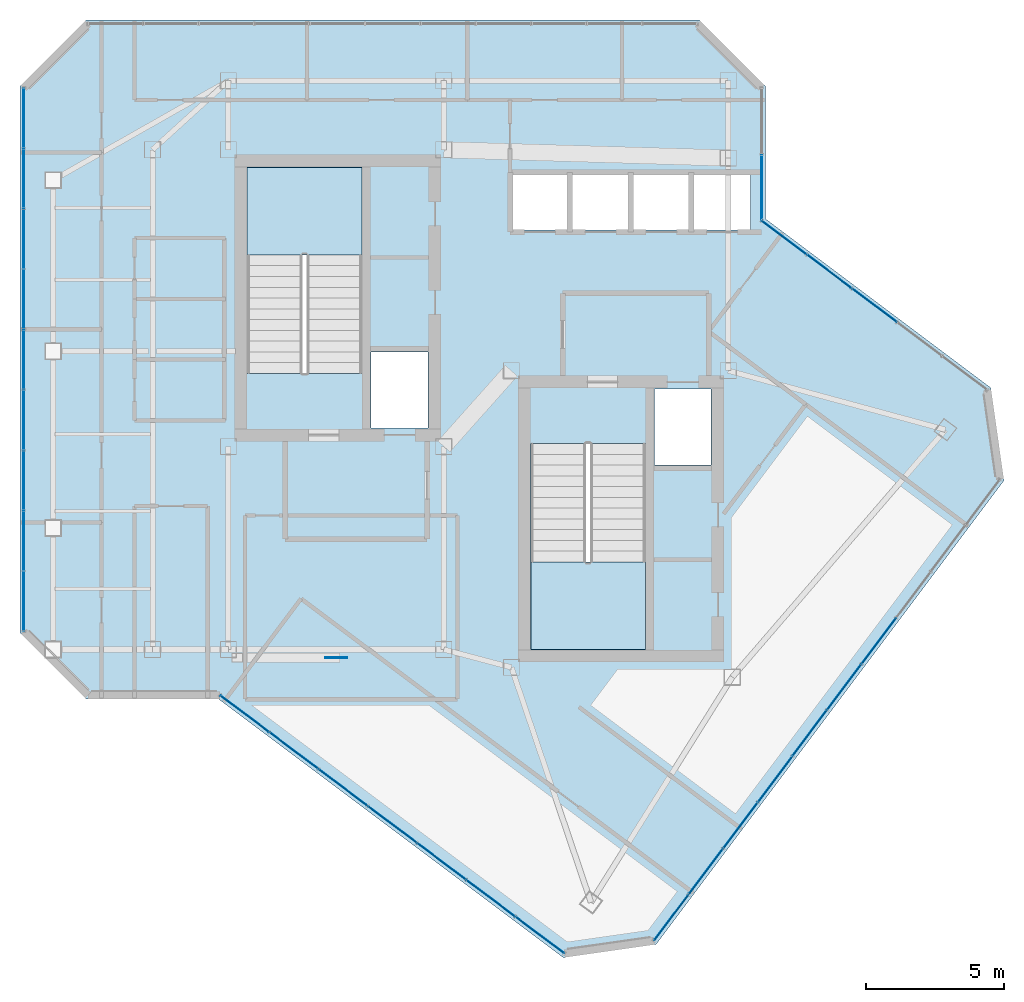
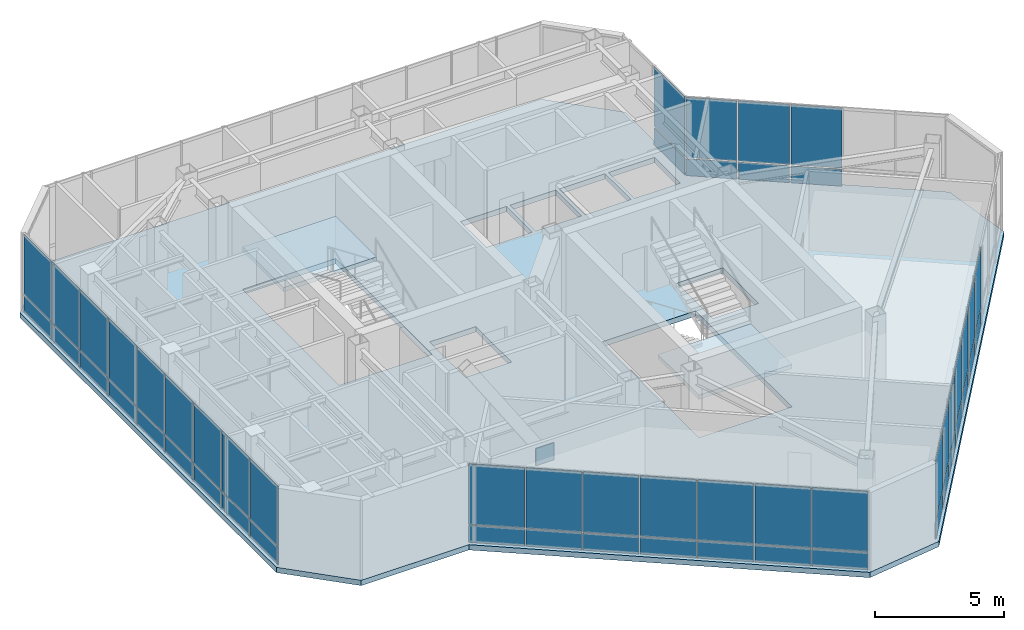
# One storey, part 25 of 31: 55 plates, 3 slabs, 7 elements without a shape of their own.
"""IFC4 building model written with IfcOpenShell, lengths in metres."""

import ifcopenshell
import ifcopenshell.guid

model = None  # the IFC model being written
_history = None  # IfcOwnerHistory: only IFC2X3 demands one
_inside = {}  # id of a spatial element -> (the spatial element, [elements in it])
_under = {}  # id of a project, library or spatial element -> (it, [spatial elements below it])
_declared = {}  # id of a project -> (the project, [libraries it declares])
_typed = {}  # id of a type object -> (the type object, [elements of that type])
_made_of = {}  # id of a material, layer set ... -> (it, [elements and type objects made of it])


def new_model(schema):
    """Start an empty IFC model of exactly this schema.

    Asked for "IFC4X3", IfcOpenShell would pick the latest addendum, in which some entities
    have other attributes; the version numbers below select the first issue.
    IFC2X3 requires an IfcOwnerHistory on every rooted entity: one is made here for all.
    """
    global model, _history
    if schema == "IFC4X3":
        model = ifcopenshell.file(schema_version=(4, 3, 0, 0))
    else:
        model = ifcopenshell.file(schema=schema)
    _inside.clear()
    _under.clear()
    _declared.clear()
    _typed.clear()
    _made_of.clear()
    _history = None
    if model.schema == "IFC2X3":
        org = make("IfcOrganization", Name="unknown")
        user = make(
            "IfcPersonAndOrganization",
            ThePerson=make("IfcPerson", FamilyName="unknown"),
            TheOrganization=org,
        )
        app = make(
            "IfcApplication",
            ApplicationDeveloper=org,
            Version="unknown",
            ApplicationFullName="unknown",
            ApplicationIdentifier="unknown",
        )
        _history = make(
            "IfcOwnerHistory",
            OwningUser=user,
            OwningApplication=app,
            ChangeAction="ADDED",
            CreationDate=0,
        )
    return model


def make(cls, **values):
    """One entity of the class cls with the attributes given. An attribute that is None is left unset."""
    return model.create_entity(
        cls, **{name: value for name, value in values.items() if value is not None}
    )


def rooted(cls, **values):
    """An entity with a GlobalId (a new one), such as an element, a storey or a relation."""
    return make(cls, GlobalId=ifcopenshell.guid.new(), OwnerHistory=_history, **values)


def si_unit(unit_type, name, prefix=None):
    """IfcSIUnit, for example si_unit("LENGTHUNIT", "METRE", prefix="MILLI")."""
    return make("IfcSIUnit", UnitType=unit_type, Prefix=prefix, Name=name)


def assignment(units):
    """IfcUnitAssignment: the units of a project."""
    return None if units is None else make("IfcUnitAssignment", Units=units)


def point(xyz):
    """IfcCartesianPoint."""
    return None if xyz is None else make("IfcCartesianPoint", Coordinates=xyz)


def direction(xyz):
    """IfcDirection."""
    return None if xyz is None else make("IfcDirection", DirectionRatios=xyz)


def frame(location, z_axis=None, x_axis=None):
    """IfcAxis2Placement3D, a coordinate frame: its origin and axes. An axis left out is left unset."""
    return make(
        "IfcAxis2Placement3D",
        Location=point(location),
        Axis=direction(z_axis),
        RefDirection=direction(x_axis),
    )


def frame_2d(location, x_axis=None):
    """IfcAxis2Placement2D, a coordinate frame in the plane: its origin and x axis."""
    return make(
        "IfcAxis2Placement2D", Location=point(location), RefDirection=direction(x_axis)
    )


def origin():
    """The frame at (0, 0, 0) with its axes left unset."""
    return frame((0.0, 0.0, 0.0))


def origin_2d():
    """The frame at (0, 0) in the plane with its x axis left unset."""
    return frame_2d((0.0, 0.0))


def place(relative_to, where):
    """IfcLocalPlacement: puts the frame where relative to a parent placement (None: the world)."""
    return make(
        "IfcLocalPlacement", PlacementRelTo=relative_to, RelativePlacement=where
    )


def context(
    kind, dimensions, precision=None, world=None, true_north=None, identifier=None
):
    """IfcGeometricRepresentationContext, for example the 3D "Model" context."""
    return make(
        "IfcGeometricRepresentationContext",
        ContextIdentifier=identifier,
        ContextType=kind,
        CoordinateSpaceDimension=dimensions,
        Precision=precision,
        WorldCoordinateSystem=world,
        TrueNorth=true_north,
    )


def subcontext(parent, identifier, kind, view, scale=None):
    """IfcGeometricRepresentationSubContext, for example "Body" below "Model"."""
    return make(
        "IfcGeometricRepresentationSubContext",
        ContextIdentifier=identifier,
        ContextType=kind,
        ParentContext=parent,
        TargetScale=scale,
        TargetView=view,
    )


def project(units=None, contexts=None):
    """IfcProject with its units and contexts."""
    return rooted(
        "IfcProject",
        Name="project",
        RepresentationContexts=contexts,
        UnitsInContext=assignment(units),
    )


def spatial(cls, under=None, at=None, **own):
    """A site, building, storey or space (cls), placed at a placement, below another one or the project."""
    s = rooted(cls, ObjectPlacement=at, **own)
    if under is not None:
        _under.setdefault(under.id(), (under, []))[1].append(s)
    return s


def polyline(points):
    """IfcPolyline through the points."""
    return make("IfcPolyline", Points=[point(p) for p in points])


def profile(cls, at=None, kind="AREA", **sizes):
    """A parametric profile (cls). Its sizes go by their IFC names, for example OverallWidth=200.0."""
    return make(cls, ProfileType=kind, Position=at, **sizes)


def rectangle(**sizes):
    """IfcRectangleProfileDef."""
    return profile("IfcRectangleProfileDef", **sizes)


def outline(outer, holes=None, kind="AREA"):
    """IfcArbitraryClosedProfileDef: a profile drawn as a closed curve; with holes, ...WithVoids."""
    if holes is None:
        return make("IfcArbitraryClosedProfileDef", ProfileType=kind, OuterCurve=outer)
    return make(
        "IfcArbitraryProfileDefWithVoids",
        ProfileType=kind,
        OuterCurve=outer,
        InnerCurves=holes,
    )


def extrude(swept, where, along, depth):
    """IfcExtrudedAreaSolid: the profile swept, set in the frame where, extruded along a direction by depth."""
    return make(
        "IfcExtrudedAreaSolid",
        SweptArea=swept,
        Position=where,
        ExtrudedDirection=direction(along),
        Depth=depth,
    )


def shape(context_of_items, identifier, shape_type, items):
    """IfcShapeRepresentation: the items that make up one representation, for example the "Body"."""
    return make(
        "IfcShapeRepresentation",
        ContextOfItems=context_of_items,
        RepresentationIdentifier=identifier,
        RepresentationType=shape_type,
        Items=items,
    )


def material(Name=None, Category=None):
    """IfcMaterial."""
    return make("IfcMaterial", Name=Name, Category=Category)


def layer(
    of_material, thickness, ventilated=None, Name=None, Category=None, Priority=None
):
    """IfcMaterialLayer: one layer of a wall or slab, of a material (None: an air gap)."""
    return make(
        "IfcMaterialLayer",
        Material=of_material,
        LayerThickness=thickness,
        IsVentilated=ventilated,
        Name=Name,
        Category=Category,
        Priority=Priority,
    )


def layer_set(layers, Name=None):
    """IfcMaterialLayerSet."""
    return make("IfcMaterialLayerSet", MaterialLayers=layers, LayerSetName=Name)


def made_of(thing, what):
    """Note that an element or type object is made of a material, layer set ...; save() writes the relation."""
    if what is not None:
        _made_of.setdefault(what.id(), (what, []))[1].append(thing)
    return thing


def type_object(cls, material=None, **own):
    """A type object (cls), such as IfcWallType, which elements share."""
    return made_of(rooted(cls, **own), material)


def element(
    cls,
    number,
    at=None,
    inside=None,
    cuts=None,
    type_object=None,
    material=None,
    context=None,
    identifier="Body",
    shape_type=None,
    held_by="IfcProductDefinitionShape",
    body=None,
    shapes=None,
    **own,
):
    """One element of the class cls, such as IfcWall. Its Tag is "e" and its number.

    at: its placement. inside: the storey or other place that contains it. cuts: it is an
    opening in that element (IfcRelVoidsElement). A single representation is given by context,
    identifier, shape_type and body (its items); several are given by shapes. held_by: the class
    of the entity that holds the representations. save() writes the other relations.
    """
    e = rooted(cls, Tag="e%d" % number, ObjectPlacement=at, **own)
    if body is not None:
        shapes = [shape(context, identifier, shape_type, body)]
    if shapes is not None:
        e.Representation = make(held_by, Representations=shapes)
    if inside is not None:
        _inside.setdefault(inside.id(), (inside, []))[1].append(e)
    if cuts is not None:
        rooted(
            "IfcRelVoidsElement", RelatingBuildingElement=cuts, RelatedOpeningElement=e
        )
    if type_object is not None:
        _typed.setdefault(type_object.id(), (type_object, []))[1].append(e)
    return made_of(e, material)


def aggregate(whole, parts):
    """IfcRelAggregates: a whole, such as a stair, and the parts it consists of."""
    return rooted("IfcRelAggregates", RelatingObject=whole, RelatedObjects=parts)


def save(model, path):
    """Write the relations noted so far, then the file.

    IfcRelAggregates (storeys below a building ...), IfcRelContainedInSpatialStructure (elements
    in a storey), IfcRelDefinesByType, IfcRelAssociatesMaterial and IfcRelDeclares: one each for
    every whole, place, type object, material and project.
    """
    for whole, parts in _under.values():
        aggregate(whole, parts)
    for where, things in _inside.values():
        rooted(
            "IfcRelContainedInSpatialStructure",
            RelatedElements=things,
            RelatingStructure=where,
        )
    for kind, things in _typed.values():
        rooted("IfcRelDefinesByType", RelatedObjects=things, RelatingType=kind)
    for what, things in _made_of.values():
        rooted("IfcRelAssociatesMaterial", RelatedObjects=things, RelatingMaterial=what)
    for by, libraries in _declared.values():
        rooted("IfcRelDeclares", RelatingContext=by, RelatedDefinitions=libraries)
    model.write(path)


model = new_model("IFC4")

# Units and contexts
model_context = context("Model", 3, precision=1e-05, world=origin(), true_north=direction((0.0, 1.0)))
body_context = subcontext(model_context, "Body", "Model", "MODEL_VIEW")
ifc_project = project(units=[si_unit("LENGTHUNIT", "METRE"), si_unit("AREAUNIT", "SQUARE_METRE"), si_unit("VOLUMEUNIT", "CUBIC_METRE"), si_unit("PLANEANGLEUNIT", "RADIAN"), si_unit("MASSUNIT", "GRAM", prefix="KILO")], contexts=[model_context])

# Site, building, storey
site_placement = place(None, origin())
site = spatial("IfcSite", under=ifc_project, at=site_placement, CompositionType="ELEMENT")
building_placement = place(site_placement, origin())
building = spatial("IfcBuilding", under=site, at=building_placement, Name="Hatsunagi Terrace Concourse", CompositionType="ELEMENT")
storey_placement = place(building_placement, frame((0.0, 0.0, 269.949951171875)))
storey = spatial("IfcBuildingStorey", under=building, at=storey_placement, Name="L71", CompositionType="ELEMENT", Elevation=269.949951171875)

# Curtain wall, plates
ifc_material_1 = material(Name="Anodised Aluminium Alloy 6063-T5", Category="aluminium")
ifc_layer_1 = layer(ifc_material_1, 0.199951171875)
ifc_layer_set_1 = layer_set([ifc_layer_1], Name="CrownWintergarden_CW06")
curtain_wall_type = type_object("IfcCurtainWallType", Name="CrownWintergarden_CW06", PredefinedType="NOTDEFINED", material=ifc_layer_set_1)
curtain_wall_1_placement = place(storey_placement, origin())
curtain_wall_1 = element("IfcCurtainWall", 1, at=curtain_wall_1_placement, inside=storey, type_object=curtain_wall_type, Name="Unitised Curtain Wall CW-06 CW-L71-01", PredefinedType="NOTDEFINED")
ifc_material_2 = material(Name="Warm Terracotta Ceramic Spandrel Panel", Category="masonry")
ifc_layer_2 = layer(ifc_material_2, 0.031982421875)
ifc_layer_set_2 = layer_set([ifc_layer_2], Name="CurtainWallSpandrelPanel_32")
plate_type_1 = type_object("IfcPlateType", Name="CurtainWallSpandrelPanel_32", PredefinedType="SHEET", material=ifc_layer_set_2)
plate_1_placement = place(storey_placement, frame((45.677001953125, 40.116943359375, 0.030029296875), z_axis=(0.0, 0.0, 1.0), x_axis=(0.800023013105, -0.599969314634, 0.0)))
plate_1 = element("IfcPlate", 2, at=plate_1_placement, type_object=plate_type_1, Name="Terracotta Spandrel Panel SPN-01", PredefinedType="SHEET", context=body_context, shape_type="SweptSolid", body=[
    extrude(rectangle(XDim=1.987060546875, YDim=0.031982421875, at=origin_2d()), origin(), (0.0, 0.0, 1.0), 0.7900390625),
])
plate_2_placement = place(storey_placement, frame((47.31103515625, 38.89208984375, 0.030029296875), z_axis=(0.0, 0.0, 1.0), x_axis=(0.800023013105, -0.599969314634, 0.0)))
plate_2 = element("IfcPlate", 3, at=plate_2_placement, type_object=plate_type_1, Name="Terracotta Spandrel Panel SPN-01", PredefinedType="SHEET", context=body_context, shape_type="SweptSolid", body=[
    extrude(rectangle(XDim=1.987060546875, YDim=0.031982421875, at=origin_2d()), origin(), (0.0, 0.0, 1.0), 0.7900390625),
])
plate_3_placement = place(storey_placement, frame((48.945068359375, 37.666015625, 0.030029296875), z_axis=(0.0, 0.0, 1.0), x_axis=(0.800023013105, -0.599969314634, 0.0)))
plate_3 = element("IfcPlate", 4, at=plate_3_placement, type_object=plate_type_1, Name="Terracotta Spandrel Panel SPN-01", PredefinedType="SHEET", context=body_context, shape_type="SweptSolid", body=[
    extrude(rectangle(XDim=1.987060546875, YDim=0.031982421875, at=origin_2d()), origin(), (0.0, 0.0, 1.0), 0.7900390625),
])

curtain_wall_2_placement = place(storey_placement, origin())
curtain_wall_2 = element("IfcCurtainWall", 5, at=curtain_wall_2_placement, inside=storey, type_object=curtain_wall_type, Name="Unitised Curtain Wall CW-06 CW-L71-03", PredefinedType="NOTDEFINED")
plate_4_placement = place(storey_placement, frame((49.10791015625, 25.510009765625, 0.030029296875), z_axis=(0.0, 0.0, 1.0), x_axis=(-0.599969314634, -0.800023013105, 0.0)))
plate_4 = element("IfcPlate", 6, at=plate_4_placement, type_object=plate_type_1, Name="Terracotta Spandrel Panel SPN-01", PredefinedType="SHEET", context=body_context, shape_type="SweptSolid", body=[
    extrude(rectangle(XDim=2.032958984375, YDim=0.031982421875, at=origin_2d()), origin(), (0.0, 0.0, 1.0), 0.7900390625),
])
plate_5_placement = place(storey_placement, frame((47.85498046875, 23.839111328125, 0.030029296875), z_axis=(0.0, 0.0, 1.0), x_axis=(-0.599969314634, -0.800023013105, 0.0)))
plate_5 = element("IfcPlate", 7, at=plate_5_placement, type_object=plate_type_1, Name="Terracotta Spandrel Panel SPN-01", PredefinedType="SHEET", context=body_context, shape_type="SweptSolid", body=[
    extrude(rectangle(XDim=2.032958984375, YDim=0.031982421875, at=origin_2d()), origin(), (0.0, 0.0, 1.0), 0.7900390625),
])
plate_6_placement = place(storey_placement, frame((46.60205078125, 22.1689453125, 0.030029296875), z_axis=(0.0, 0.0, 1.0), x_axis=(-0.599969314634, -0.800023013105, 0.0)))
plate_6 = element("IfcPlate", 8, at=plate_6_placement, type_object=plate_type_1, Name="Terracotta Spandrel Panel SPN-01", PredefinedType="SHEET", context=body_context, shape_type="SweptSolid", body=[
    extrude(rectangle(XDim=2.032958984375, YDim=0.031982421875, at=origin_2d()), origin(), (0.0, 0.0, 1.0), 0.7900390625),
])
plate_7_placement = place(storey_placement, frame((45.34912109375, 20.498046875, 0.030029296875), z_axis=(0.0, 0.0, 1.0), x_axis=(-0.599969314634, -0.800023013105, 0.0)))
plate_7 = element("IfcPlate", 9, at=plate_7_placement, type_object=plate_type_1, Name="Terracotta Spandrel Panel SPN-01", PredefinedType="SHEET", context=body_context, shape_type="SweptSolid", body=[
    extrude(rectangle(XDim=2.032958984375, YDim=0.031982421875, at=origin_2d()), origin(), (0.0, 0.0, 1.0), 0.7900390625),
])
plate_8_placement = place(storey_placement, frame((44.095947265625, 18.826904296875, 0.030029296875), z_axis=(0.0, 0.0, 1.0), x_axis=(-0.599969314634, -0.800023013105, 0.0)))
plate_8 = element("IfcPlate", 10, at=plate_8_placement, type_object=plate_type_1, Name="Terracotta Spandrel Panel SPN-01", PredefinedType="SHEET", context=body_context, shape_type="SweptSolid", body=[
    extrude(rectangle(XDim=2.032958984375, YDim=0.031982421875, at=origin_2d()), origin(), (0.0, 0.0, 1.0), 0.7900390625),
])
plate_9_placement = place(storey_placement, frame((42.843017578125, 17.156005859375, 0.030029296875), z_axis=(0.0, 0.0, 1.0), x_axis=(-0.599969314634, -0.800023013105, 0.0)))
plate_9 = element("IfcPlate", 11, at=plate_9_placement, type_object=plate_type_1, Name="Terracotta Spandrel Panel SPN-01", PredefinedType="SHEET", context=body_context, shape_type="SweptSolid", body=[
    extrude(rectangle(XDim=2.032958984375, YDim=0.031982421875, at=origin_2d()), origin(), (0.0, 0.0, 1.0), 0.7900390625),
])
plate_10_placement = place(storey_placement, frame((41.590087890625, 15.485107421875, 0.030029296875), z_axis=(0.0, 0.0, 1.0), x_axis=(-0.599969314634, -0.800023013105, 0.0)))
plate_10 = element("IfcPlate", 12, at=plate_10_placement, type_object=plate_type_1, Name="Terracotta Spandrel Panel SPN-01", PredefinedType="SHEET", context=body_context, shape_type="SweptSolid", body=[
    extrude(rectangle(XDim=2.032958984375, YDim=0.031982421875, at=origin_2d()), origin(), (0.0, 0.0, 1.0), 0.7900390625),
])

curtain_wall_3_placement = place(storey_placement, origin())
curtain_wall_3 = element("IfcCurtainWall", 13, at=curtain_wall_3_placement, inside=storey, type_object=curtain_wall_type, Name="Unitised Curtain Wall CW-06 CW-L71-05", PredefinedType="NOTDEFINED")
plate_11_placement = place(storey_placement, frame((36.826904296875, 14.85498046875, 0.030029296875), z_axis=(0.0, 0.0, 1.0), x_axis=(-0.800007305671, 0.599990258982, 0.0)))
plate_11 = element("IfcPlate", 14, at=plate_11_placement, type_object=plate_type_1, Name="Terracotta Spandrel Panel SPN-01", PredefinedType="SHEET", context=body_context, shape_type="SweptSolid", body=[
    extrude(rectangle(XDim=2.172119140625, YDim=0.031982421875, at=origin_2d()), origin(), (0.0, 0.0, 1.0), 0.7900390625),
])
plate_12_placement = place(storey_placement, frame((35.0458984375, 16.19091796875, 0.030029296875), z_axis=(0.0, 0.0, 1.0), x_axis=(-0.800007305671, 0.599990258982, 0.0)))
plate_12 = element("IfcPlate", 15, at=plate_12_placement, type_object=plate_type_1, Name="Terracotta Spandrel Panel SPN-01", PredefinedType="SHEET", context=body_context, shape_type="SweptSolid", body=[
    extrude(rectangle(XDim=2.172119140625, YDim=0.031982421875, at=origin_2d()), origin(), (0.0, 0.0, 1.0), 0.7900390625),
])
plate_13_placement = place(storey_placement, frame((33.263916015625, 17.527099609375, 0.030029296875), z_axis=(0.0, 0.0, 1.0), x_axis=(-0.800007305671, 0.599990258982, 0.0)))
plate_13 = element("IfcPlate", 16, at=plate_13_placement, type_object=plate_type_1, Name="Terracotta Spandrel Panel SPN-01", PredefinedType="SHEET", context=body_context, shape_type="SweptSolid", body=[
    extrude(rectangle(XDim=2.172119140625, YDim=0.031982421875, at=origin_2d()), origin(), (0.0, 0.0, 1.0), 0.7900390625),
])
plate_14_placement = place(storey_placement, frame((31.48291015625, 18.863037109375, 0.030029296875), z_axis=(0.0, 0.0, 1.0), x_axis=(-0.800007305671, 0.599990258982, 0.0)))
plate_14 = element("IfcPlate", 17, at=plate_14_placement, type_object=plate_type_1, Name="Terracotta Spandrel Panel SPN-01", PredefinedType="SHEET", context=body_context, shape_type="SweptSolid", body=[
    extrude(rectangle(XDim=2.172119140625, YDim=0.031982421875, at=origin_2d()), origin(), (0.0, 0.0, 1.0), 0.7900390625),
])
plate_15_placement = place(storey_placement, frame((29.700927734375, 20.199951171875, 0.030029296875), z_axis=(0.0, 0.0, 1.0), x_axis=(-0.800007305671, 0.599990258982, 0.0)))
plate_15 = element("IfcPlate", 18, at=plate_15_placement, type_object=plate_type_1, Name="Terracotta Spandrel Panel SPN-01", PredefinedType="SHEET", context=body_context, shape_type="SweptSolid", body=[
    extrude(rectangle(XDim=2.172119140625, YDim=0.031982421875, at=origin_2d()), origin(), (0.0, 0.0, 1.0), 0.7900390625),
])
plate_16_placement = place(storey_placement, frame((27.9189453125, 21.535888671875, 0.030029296875), z_axis=(0.0, 0.0, 1.0), x_axis=(-0.800007305671, 0.599990258982, 0.0)))
plate_16 = element("IfcPlate", 19, at=plate_16_placement, type_object=plate_type_1, Name="Terracotta Spandrel Panel SPN-01", PredefinedType="SHEET", context=body_context, shape_type="SweptSolid", body=[
    extrude(rectangle(XDim=2.172119140625, YDim=0.031982421875, at=origin_2d()), origin(), (0.0, 0.0, 1.0), 0.7900390625),
])
plate_17_placement = place(storey_placement, frame((26.137939453125, 22.8720703125, 0.030029296875), z_axis=(0.0, 0.0, 1.0), x_axis=(-0.800007305671, 0.599990258982, 0.0)))
plate_17 = element("IfcPlate", 20, at=plate_17_placement, type_object=plate_type_1, Name="Terracotta Spandrel Panel SPN-01", PredefinedType="SHEET", context=body_context, shape_type="SweptSolid", body=[
    extrude(rectangle(XDim=2.172119140625, YDim=0.031982421875, at=origin_2d()), origin(), (0.0, 0.0, 1.0), 0.7900390625),
])

curtain_wall_4_placement = place(storey_placement, origin())
curtain_wall_4 = element("IfcCurtainWall", 21, at=curtain_wall_4_placement, inside=storey, type_object=curtain_wall_type, Name="Unitised Curtain Wall CW-06 CW-L71-08", PredefinedType="NOTDEFINED")
plate_18_placement = place(storey_placement, frame((18.139892578125, 26.951904296875, 0.030029296875), z_axis=(0.0, 0.0, 1.0), x_axis=(0.0, 1.0, 0.0)))
plate_18 = element("IfcPlate", 22, at=plate_18_placement, type_object=plate_type_1, Name="Terracotta Spandrel Panel SPN-01", PredefinedType="SHEET", context=body_context, shape_type="SweptSolid", body=[
    extrude(rectangle(XDim=2.132080078125, YDim=0.031982421875, at=origin_2d()), origin(), (0.0, 0.0, 1.0), 0.7900390625),
])
plate_19_placement = place(storey_placement, frame((18.139892578125, 29.138916015625, 0.030029296875), z_axis=(0.0, 0.0, 1.0), x_axis=(0.0, 1.0, 0.0)))
plate_19 = element("IfcPlate", 23, at=plate_19_placement, type_object=plate_type_1, Name="Terracotta Spandrel Panel SPN-01", PredefinedType="SHEET", context=body_context, shape_type="SweptSolid", body=[
    extrude(rectangle(XDim=2.132080078125, YDim=0.031982421875, at=origin_2d()), origin(), (0.0, 0.0, 1.0), 0.7900390625),
])
plate_20_placement = place(storey_placement, frame((18.139892578125, 31.325927734375, 0.030029296875), z_axis=(0.0, 0.0, 1.0), x_axis=(0.0, 1.0, 0.0)))
plate_20 = element("IfcPlate", 24, at=plate_20_placement, type_object=plate_type_1, Name="Terracotta Spandrel Panel SPN-01", PredefinedType="SHEET", context=body_context, shape_type="SweptSolid", body=[
    extrude(rectangle(XDim=2.132080078125, YDim=0.031982421875, at=origin_2d()), origin(), (0.0, 0.0, 1.0), 0.7900390625),
])
plate_21_placement = place(storey_placement, frame((18.139892578125, 33.512939453125, 0.030029296875), z_axis=(0.0, 0.0, 1.0), x_axis=(0.0, 1.0, 0.0)))
plate_21 = element("IfcPlate", 25, at=plate_21_placement, type_object=plate_type_1, Name="Terracotta Spandrel Panel SPN-01", PredefinedType="SHEET", context=body_context, shape_type="SweptSolid", body=[
    extrude(rectangle(XDim=2.132080078125, YDim=0.031982421875, at=origin_2d()), origin(), (0.0, 0.0, 1.0), 0.7900390625),
])
plate_22_placement = place(storey_placement, frame((18.139892578125, 35.699951171875, 0.030029296875), z_axis=(0.0, 0.0, 1.0), x_axis=(0.0, 1.0, 0.0)))
plate_22 = element("IfcPlate", 26, at=plate_22_placement, type_object=plate_type_1, Name="Terracotta Spandrel Panel SPN-01", PredefinedType="SHEET", context=body_context, shape_type="SweptSolid", body=[
    extrude(rectangle(XDim=2.132080078125, YDim=0.031982421875, at=origin_2d()), origin(), (0.0, 0.0, 1.0), 0.7900390625),
])
plate_23_placement = place(storey_placement, frame((18.139892578125, 37.886962890625, 0.030029296875), z_axis=(0.0, 0.0, 1.0), x_axis=(0.0, 1.0, 0.0)))
plate_23 = element("IfcPlate", 27, at=plate_23_placement, type_object=plate_type_1, Name="Terracotta Spandrel Panel SPN-01", PredefinedType="SHEET", context=body_context, shape_type="SweptSolid", body=[
    extrude(rectangle(XDim=2.132080078125, YDim=0.031982421875, at=origin_2d()), origin(), (0.0, 0.0, 1.0), 0.7900390625),
])
plate_24_placement = place(storey_placement, frame((18.139892578125, 40.073974609375, 0.030029296875), z_axis=(0.0, 0.0, 1.0), x_axis=(0.0, 1.0, 0.0)))
plate_24 = element("IfcPlate", 28, at=plate_24_placement, type_object=plate_type_1, Name="Terracotta Spandrel Panel SPN-01", PredefinedType="SHEET", context=body_context, shape_type="SweptSolid", body=[
    extrude(rectangle(XDim=2.132080078125, YDim=0.031982421875, at=origin_2d()), origin(), (0.0, 0.0, 1.0), 0.7900390625),
])
plate_25_placement = place(storey_placement, frame((18.139892578125, 42.260986328125, 0.030029296875), z_axis=(0.0, 0.0, 1.0), x_axis=(0.0, 1.0, 0.0)))
plate_25 = element("IfcPlate", 29, at=plate_25_placement, type_object=plate_type_1, Name="Terracotta Spandrel Panel SPN-01", PredefinedType="SHEET", context=body_context, shape_type="SweptSolid", body=[
    extrude(rectangle(XDim=2.132080078125, YDim=0.031982421875, at=origin_2d()), origin(), (0.0, 0.0, 1.0), 0.7900390625),
])
plate_26_placement = place(storey_placement, frame((18.139892578125, 44.447998046875, 0.030029296875), z_axis=(0.0, 0.0, 1.0), x_axis=(0.0, 1.0, 0.0)))
plate_26 = element("IfcPlate", 30, at=plate_26_placement, type_object=plate_type_1, Name="Terracotta Spandrel Panel SPN-01", PredefinedType="SHEET", context=body_context, shape_type="SweptSolid", body=[
    extrude(rectangle(XDim=2.132080078125, YDim=0.031982421875, at=origin_2d()), origin(), (0.0, 0.0, 1.0), 0.7900390625),
])

# Curtain wall, plate
curtain_wall_5_placement = place(storey_placement, origin())
curtain_wall_5 = element("IfcCurtainWall", 31, at=curtain_wall_5_placement, inside=storey, type_object=curtain_wall_type, Name="Unitised Curtain Wall CW-06 CW-L71-12", PredefinedType="NOTDEFINED")
plate_27_placement = place(storey_placement, frame((44.860107421875, 41.93310546875, 0.030029296875), z_axis=(0.0, 0.0, 1.0), x_axis=(0.0, -1.0, 0.0)))
plate_27 = element("IfcPlate", 32, at=plate_27_placement, type_object=plate_type_1, Name="Terracotta Spandrel Panel SPN-01", PredefinedType="SHEET", context=body_context, shape_type="SweptSolid", body=[
    extrude(rectangle(XDim=2.35107421875, YDim=0.031982421875, at=origin_2d()), origin(), (0.0, 0.0, 1.0), 0.7900390625),
])

# Plate
ifc_material_3 = material(Name="Low-E Double Insulating Glass 28mm", Category="glass")
ifc_layer_3 = layer(ifc_material_3, 0.028076171875)
ifc_layer_set_3 = layer_set([ifc_layer_3], Name="CurtainWallVisionGlass_28")
plate_type_2 = type_object("IfcPlateType", Name="CurtainWallVisionGlass_28", PredefinedType="CURTAIN_PANEL", material=ifc_layer_set_3)
plate_28_placement = place(storey_placement, frame((45.677001953125, 40.116943359375, 0.880126953125), z_axis=(0.0, 0.0, 1.0), x_axis=(0.800023013105, -0.599969314634, 0.0)))
plate_28 = element("IfcPlate", 33, at=plate_28_placement, type_object=plate_type_2, Name="Low-E Vision Glass Panel GLZ-01", PredefinedType="CURTAIN_PANEL", context=body_context, shape_type="SweptSolid", body=[
    extrude(rectangle(XDim=1.987060546875, YDim=0.028076171875, at=origin_2d()), origin(), (0.0, 0.0, 1.0), 2.830078125),
])

plate_29_placement = place(storey_placement, frame((47.31103515625, 38.89208984375, 0.880126953125), z_axis=(0.0, 0.0, 1.0), x_axis=(0.800023013105, -0.599969314634, 0.0)))
plate_29 = element("IfcPlate", 34, at=plate_29_placement, type_object=plate_type_2, Name="Low-E Vision Glass Panel GLZ-01", PredefinedType="CURTAIN_PANEL", context=body_context, shape_type="SweptSolid", body=[
    extrude(rectangle(XDim=1.987060546875, YDim=0.028076171875, at=origin_2d()), origin(), (0.0, 0.0, 1.0), 2.830078125),
])

plate_30_placement = place(storey_placement, frame((48.945068359375, 37.666015625, 0.880126953125), z_axis=(0.0, 0.0, 1.0), x_axis=(0.800023013105, -0.599969314634, 0.0)))
plate_30 = element("IfcPlate", 35, at=plate_30_placement, type_object=plate_type_2, Name="Low-E Vision Glass Panel GLZ-01", PredefinedType="CURTAIN_PANEL", context=body_context, shape_type="SweptSolid", body=[
    extrude(rectangle(XDim=1.987060546875, YDim=0.028076171875, at=origin_2d()), origin(), (0.0, 0.0, 1.0), 2.830078125),
])

aggregate(curtain_wall_1, [plate_1, plate_28, plate_2, plate_29, plate_3, plate_30])

plate_31_placement = place(storey_placement, frame((49.10791015625, 25.510009765625, 0.880126953125), z_axis=(0.0, 0.0, 1.0), x_axis=(-0.599969314634, -0.800023013105, 0.0)))
plate_31 = element("IfcPlate", 36, at=plate_31_placement, type_object=plate_type_2, Name="Low-E Vision Glass Panel GLZ-01", PredefinedType="CURTAIN_PANEL", context=body_context, shape_type="SweptSolid", body=[
    extrude(rectangle(XDim=2.032958984375, YDim=0.028076171875, at=origin_2d()), origin(), (0.0, 0.0, 1.0), 2.830078125),
])

plate_32_placement = place(storey_placement, frame((47.85498046875, 23.839111328125, 0.880126953125), z_axis=(0.0, 0.0, 1.0), x_axis=(-0.599969314634, -0.800023013105, 0.0)))
plate_32 = element("IfcPlate", 37, at=plate_32_placement, type_object=plate_type_2, Name="Low-E Vision Glass Panel GLZ-01", PredefinedType="CURTAIN_PANEL", context=body_context, shape_type="SweptSolid", body=[
    extrude(rectangle(XDim=2.032958984375, YDim=0.028076171875, at=origin_2d()), origin(), (0.0, 0.0, 1.0), 2.830078125),
])

plate_33_placement = place(storey_placement, frame((46.60205078125, 22.1689453125, 0.880126953125), z_axis=(0.0, 0.0, 1.0), x_axis=(-0.599969314634, -0.800023013105, 0.0)))
plate_33 = element("IfcPlate", 38, at=plate_33_placement, type_object=plate_type_2, Name="Low-E Vision Glass Panel GLZ-01", PredefinedType="CURTAIN_PANEL", context=body_context, shape_type="SweptSolid", body=[
    extrude(rectangle(XDim=2.032958984375, YDim=0.028076171875, at=origin_2d()), origin(), (0.0, 0.0, 1.0), 2.830078125),
])

plate_34_placement = place(storey_placement, frame((45.34912109375, 20.498046875, 0.880126953125), z_axis=(0.0, 0.0, 1.0), x_axis=(-0.599969314634, -0.800023013105, 0.0)))
plate_34 = element("IfcPlate", 39, at=plate_34_placement, type_object=plate_type_2, Name="Low-E Vision Glass Panel GLZ-01", PredefinedType="CURTAIN_PANEL", context=body_context, shape_type="SweptSolid", body=[
    extrude(rectangle(XDim=2.032958984375, YDim=0.028076171875, at=origin_2d()), origin(), (0.0, 0.0, 1.0), 2.830078125),
])

plate_35_placement = place(storey_placement, frame((44.095947265625, 18.826904296875, 0.880126953125), z_axis=(0.0, 0.0, 1.0), x_axis=(-0.599969314634, -0.800023013105, 0.0)))
plate_35 = element("IfcPlate", 40, at=plate_35_placement, type_object=plate_type_2, Name="Low-E Vision Glass Panel GLZ-01", PredefinedType="CURTAIN_PANEL", context=body_context, shape_type="SweptSolid", body=[
    extrude(rectangle(XDim=2.032958984375, YDim=0.028076171875, at=origin_2d()), origin(), (0.0, 0.0, 1.0), 2.830078125),
])

plate_36_placement = place(storey_placement, frame((42.843017578125, 17.156005859375, 0.880126953125), z_axis=(0.0, 0.0, 1.0), x_axis=(-0.599969314634, -0.800023013105, 0.0)))
plate_36 = element("IfcPlate", 41, at=plate_36_placement, type_object=plate_type_2, Name="Low-E Vision Glass Panel GLZ-01", PredefinedType="CURTAIN_PANEL", context=body_context, shape_type="SweptSolid", body=[
    extrude(rectangle(XDim=2.032958984375, YDim=0.028076171875, at=origin_2d()), origin(), (0.0, 0.0, 1.0), 2.830078125),
])

plate_37_placement = place(storey_placement, frame((41.590087890625, 15.485107421875, 0.880126953125), z_axis=(0.0, 0.0, 1.0), x_axis=(-0.599969314634, -0.800023013105, 0.0)))
plate_37 = element("IfcPlate", 42, at=plate_37_placement, type_object=plate_type_2, Name="Low-E Vision Glass Panel GLZ-01", PredefinedType="CURTAIN_PANEL", context=body_context, shape_type="SweptSolid", body=[
    extrude(rectangle(XDim=2.032958984375, YDim=0.028076171875, at=origin_2d()), origin(), (0.0, 0.0, 1.0), 2.830078125),
])

aggregate(curtain_wall_2, [plate_4, plate_31, plate_5, plate_32, plate_6, plate_33, plate_7, plate_34, plate_8, plate_35, plate_9, plate_36, plate_10, plate_37])

plate_38_placement = place(storey_placement, frame((36.826904296875, 14.85498046875, 0.880126953125), z_axis=(0.0, 0.0, 1.0), x_axis=(-0.800007305671, 0.599990258982, 0.0)))
plate_38 = element("IfcPlate", 43, at=plate_38_placement, type_object=plate_type_2, Name="Low-E Vision Glass Panel GLZ-01", PredefinedType="CURTAIN_PANEL", context=body_context, shape_type="SweptSolid", body=[
    extrude(rectangle(XDim=2.172119140625, YDim=0.028076171875, at=origin_2d()), origin(), (0.0, 0.0, 1.0), 2.830078125),
])

plate_39_placement = place(storey_placement, frame((35.0458984375, 16.19091796875, 0.880126953125), z_axis=(0.0, 0.0, 1.0), x_axis=(-0.800007305671, 0.599990258982, 0.0)))
plate_39 = element("IfcPlate", 44, at=plate_39_placement, type_object=plate_type_2, Name="Low-E Vision Glass Panel GLZ-01", PredefinedType="CURTAIN_PANEL", context=body_context, shape_type="SweptSolid", body=[
    extrude(rectangle(XDim=2.172119140625, YDim=0.028076171875, at=origin_2d()), origin(), (0.0, 0.0, 1.0), 2.830078125),
])

plate_40_placement = place(storey_placement, frame((33.263916015625, 17.527099609375, 0.880126953125), z_axis=(0.0, 0.0, 1.0), x_axis=(-0.800007305671, 0.599990258982, 0.0)))
plate_40 = element("IfcPlate", 45, at=plate_40_placement, type_object=plate_type_2, Name="Low-E Vision Glass Panel GLZ-01", PredefinedType="CURTAIN_PANEL", context=body_context, shape_type="SweptSolid", body=[
    extrude(rectangle(XDim=2.172119140625, YDim=0.028076171875, at=origin_2d()), origin(), (0.0, 0.0, 1.0), 2.830078125),
])

plate_41_placement = place(storey_placement, frame((31.48291015625, 18.863037109375, 0.880126953125), z_axis=(0.0, 0.0, 1.0), x_axis=(-0.800007305671, 0.599990258982, 0.0)))
plate_41 = element("IfcPlate", 46, at=plate_41_placement, type_object=plate_type_2, Name="Low-E Vision Glass Panel GLZ-01", PredefinedType="CURTAIN_PANEL", context=body_context, shape_type="SweptSolid", body=[
    extrude(rectangle(XDim=2.172119140625, YDim=0.028076171875, at=origin_2d()), origin(), (0.0, 0.0, 1.0), 2.830078125),
])

plate_42_placement = place(storey_placement, frame((29.700927734375, 20.199951171875, 0.880126953125), z_axis=(0.0, 0.0, 1.0), x_axis=(-0.800007305671, 0.599990258982, 0.0)))
plate_42 = element("IfcPlate", 47, at=plate_42_placement, type_object=plate_type_2, Name="Low-E Vision Glass Panel GLZ-01", PredefinedType="CURTAIN_PANEL", context=body_context, shape_type="SweptSolid", body=[
    extrude(rectangle(XDim=2.172119140625, YDim=0.028076171875, at=origin_2d()), origin(), (0.0, 0.0, 1.0), 2.830078125),
])

plate_43_placement = place(storey_placement, frame((27.9189453125, 21.535888671875, 0.880126953125), z_axis=(0.0, 0.0, 1.0), x_axis=(-0.800007305671, 0.599990258982, 0.0)))
plate_43 = element("IfcPlate", 48, at=plate_43_placement, type_object=plate_type_2, Name="Low-E Vision Glass Panel GLZ-01", PredefinedType="CURTAIN_PANEL", context=body_context, shape_type="SweptSolid", body=[
    extrude(rectangle(XDim=2.172119140625, YDim=0.028076171875, at=origin_2d()), origin(), (0.0, 0.0, 1.0), 2.830078125),
])

plate_44_placement = place(storey_placement, frame((26.137939453125, 22.8720703125, 0.880126953125), z_axis=(0.0, 0.0, 1.0), x_axis=(-0.800007305671, 0.599990258982, 0.0)))
plate_44 = element("IfcPlate", 49, at=plate_44_placement, type_object=plate_type_2, Name="Low-E Vision Glass Panel GLZ-01", PredefinedType="CURTAIN_PANEL", context=body_context, shape_type="SweptSolid", body=[
    extrude(rectangle(XDim=2.172119140625, YDim=0.028076171875, at=origin_2d()), origin(), (0.0, 0.0, 1.0), 2.830078125),
])

aggregate(curtain_wall_3, [plate_11, plate_38, plate_12, plate_39, plate_13, plate_40, plate_14, plate_41, plate_15, plate_42, plate_16, plate_43, plate_17, plate_44])

plate_45_placement = place(storey_placement, frame((18.139892578125, 26.951904296875, 0.880126953125), z_axis=(0.0, 0.0, 1.0), x_axis=(0.0, 1.0, 0.0)))
plate_45 = element("IfcPlate", 50, at=plate_45_placement, type_object=plate_type_2, Name="Low-E Vision Glass Panel GLZ-01", PredefinedType="CURTAIN_PANEL", context=body_context, shape_type="SweptSolid", body=[
    extrude(rectangle(XDim=2.132080078125, YDim=0.028076171875, at=origin_2d()), origin(), (0.0, 0.0, 1.0), 2.830078125),
])

plate_46_placement = place(storey_placement, frame((18.139892578125, 29.138916015625, 0.880126953125), z_axis=(0.0, 0.0, 1.0), x_axis=(0.0, 1.0, 0.0)))
plate_46 = element("IfcPlate", 51, at=plate_46_placement, type_object=plate_type_2, Name="Low-E Vision Glass Panel GLZ-01", PredefinedType="CURTAIN_PANEL", context=body_context, shape_type="SweptSolid", body=[
    extrude(rectangle(XDim=2.132080078125, YDim=0.028076171875, at=origin_2d()), origin(), (0.0, 0.0, 1.0), 2.830078125),
])

plate_47_placement = place(storey_placement, frame((18.139892578125, 31.325927734375, 0.880126953125), z_axis=(0.0, 0.0, 1.0), x_axis=(0.0, 1.0, 0.0)))
plate_47 = element("IfcPlate", 52, at=plate_47_placement, type_object=plate_type_2, Name="Low-E Vision Glass Panel GLZ-01", PredefinedType="CURTAIN_PANEL", context=body_context, shape_type="SweptSolid", body=[
    extrude(rectangle(XDim=2.132080078125, YDim=0.028076171875, at=origin_2d()), origin(), (0.0, 0.0, 1.0), 2.830078125),
])

plate_48_placement = place(storey_placement, frame((18.139892578125, 33.512939453125, 0.880126953125), z_axis=(0.0, 0.0, 1.0), x_axis=(0.0, 1.0, 0.0)))
plate_48 = element("IfcPlate", 53, at=plate_48_placement, type_object=plate_type_2, Name="Low-E Vision Glass Panel GLZ-01", PredefinedType="CURTAIN_PANEL", context=body_context, shape_type="SweptSolid", body=[
    extrude(rectangle(XDim=2.132080078125, YDim=0.028076171875, at=origin_2d()), origin(), (0.0, 0.0, 1.0), 2.830078125),
])

plate_49_placement = place(storey_placement, frame((18.139892578125, 35.699951171875, 0.880126953125), z_axis=(0.0, 0.0, 1.0), x_axis=(0.0, 1.0, 0.0)))
plate_49 = element("IfcPlate", 54, at=plate_49_placement, type_object=plate_type_2, Name="Low-E Vision Glass Panel GLZ-01", PredefinedType="CURTAIN_PANEL", context=body_context, shape_type="SweptSolid", body=[
    extrude(rectangle(XDim=2.132080078125, YDim=0.028076171875, at=origin_2d()), origin(), (0.0, 0.0, 1.0), 2.830078125),
])

plate_50_placement = place(storey_placement, frame((18.139892578125, 37.886962890625, 0.880126953125), z_axis=(0.0, 0.0, 1.0), x_axis=(0.0, 1.0, 0.0)))
plate_50 = element("IfcPlate", 55, at=plate_50_placement, type_object=plate_type_2, Name="Low-E Vision Glass Panel GLZ-01", PredefinedType="CURTAIN_PANEL", context=body_context, shape_type="SweptSolid", body=[
    extrude(rectangle(XDim=2.132080078125, YDim=0.028076171875, at=origin_2d()), origin(), (0.0, 0.0, 1.0), 2.830078125),
])

plate_51_placement = place(storey_placement, frame((18.139892578125, 40.073974609375, 0.880126953125), z_axis=(0.0, 0.0, 1.0), x_axis=(0.0, 1.0, 0.0)))
plate_51 = element("IfcPlate", 56, at=plate_51_placement, type_object=plate_type_2, Name="Low-E Vision Glass Panel GLZ-01", PredefinedType="CURTAIN_PANEL", context=body_context, shape_type="SweptSolid", body=[
    extrude(rectangle(XDim=2.132080078125, YDim=0.028076171875, at=origin_2d()), origin(), (0.0, 0.0, 1.0), 2.830078125),
])

plate_52_placement = place(storey_placement, frame((18.139892578125, 42.260986328125, 0.880126953125), z_axis=(0.0, 0.0, 1.0), x_axis=(0.0, 1.0, 0.0)))
plate_52 = element("IfcPlate", 57, at=plate_52_placement, type_object=plate_type_2, Name="Low-E Vision Glass Panel GLZ-01", PredefinedType="CURTAIN_PANEL", context=body_context, shape_type="SweptSolid", body=[
    extrude(rectangle(XDim=2.132080078125, YDim=0.028076171875, at=origin_2d()), origin(), (0.0, 0.0, 1.0), 2.830078125),
])

plate_53_placement = place(storey_placement, frame((18.139892578125, 44.447998046875, 0.880126953125), z_axis=(0.0, 0.0, 1.0), x_axis=(0.0, 1.0, 0.0)))
plate_53 = element("IfcPlate", 58, at=plate_53_placement, type_object=plate_type_2, Name="Low-E Vision Glass Panel GLZ-01", PredefinedType="CURTAIN_PANEL", context=body_context, shape_type="SweptSolid", body=[
    extrude(rectangle(XDim=2.132080078125, YDim=0.028076171875, at=origin_2d()), origin(), (0.0, 0.0, 1.0), 2.830078125),
])

aggregate(curtain_wall_4, [plate_18, plate_45, plate_19, plate_46, plate_20, plate_47, plate_21, plate_48, plate_22, plate_49, plate_23, plate_50, plate_24, plate_51, plate_25, plate_52, plate_26, plate_53])

plate_54_placement = place(storey_placement, frame((44.860107421875, 41.93310546875, 0.880126953125), z_axis=(0.0, 0.0, 1.0), x_axis=(0.0, -1.0, 0.0)))
plate_54 = element("IfcPlate", 59, at=plate_54_placement, type_object=plate_type_2, Name="Low-E Vision Glass Panel GLZ-01", PredefinedType="CURTAIN_PANEL", context=body_context, shape_type="SweptSolid", body=[
    extrude(rectangle(XDim=2.35107421875, YDim=0.028076171875, at=origin_2d()), origin(), (0.0, 0.0, 1.0), 2.830078125),
])

aggregate(curtain_wall_5, [plate_27, plate_54])

# Stair, slab
ifc_material_4 = material(Name="Concrete Fc42", Category="concrete")
stair_type = type_object("IfcStairType", Name="DoglegExitStair_Tower2000_24R_167", PredefinedType="HALF_TURN_STAIR", material=ifc_material_4)
stair_1_placement = place(storey_placement, origin())
stair_1 = element("IfcStair", 60, at=stair_1_placement, inside=storey, type_object=stair_type, Name="L71 Core A Protected Exit Stair ST-A", PredefinedType="HALF_TURN_STAIR")
ifc_material_5 = material(Name="Concrete Fc42", Category="concrete")
ifc_layer_4 = layer(ifc_material_5, 0.199951171875)
ifc_layer_set_4 = layer_set([ifc_layer_4], Name="DoglegStairLanding_Tower2000")
slab_type_1 = type_object("IfcSlabType", Name="DoglegStairLanding_Tower2000", PredefinedType="LANDING", material=ifc_layer_set_4)
slab_1_placement = place(storey_placement, frame((0.0, 0.0, 1.800048828125)))
slab_1 = element("IfcSlab", 61, at=slab_1_placement, type_object=slab_type_1, Name="ST-A landing 1", PredefinedType="LANDING", context=body_context, shape_type="SweptSolid", body=[
    extrude(outline(polyline([(30.3798828125, 39.489990234375), (30.3798828125, 42.659912109375), (26.22998046875, 42.659912109375), (26.22998046875, 39.489990234375), (30.3798828125, 39.489990234375)])), origin(), (0.0, 0.0, 1.0), 0.199951171875),
])
aggregate(stair_1, [slab_1])

stair_2_placement = place(storey_placement, origin())
stair_2 = element("IfcStair", 62, at=stair_2_placement, inside=storey, type_object=stair_type, Name="L71 Core B Protected Exit Stair ST-B", PredefinedType="HALF_TURN_STAIR")
slab_2_placement = place(storey_placement, frame((0.0, 0.0, 1.800048828125)))
slab_2 = element("IfcSlab", 63, at=slab_2_placement, type_object=slab_type_1, Name="ST-B landing 1", PredefinedType="LANDING", context=body_context, shape_type="SweptSolid", body=[
    extrude(outline(polyline([(36.5, 28.3701171875), (36.5, 25.199951171875), (40.64990234375, 25.199951171875), (40.64990234375, 28.3701171875), (36.5, 28.3701171875)])), origin(), (0.0, 0.0, 1.0), 0.199951171875),
])
aggregate(stair_2, [slab_2])

# Slab
ifc_material_6 = material(Name="Concrete Fc42", Category="concrete")
ifc_layer_5 = layer(ifc_material_6, 0.25)
ifc_layer_set_5 = layer_set([ifc_layer_5], Name="OfficeCrownSlab_Fc42_250")
slab_type_2 = type_object("IfcSlabType", Name="OfficeCrownSlab_Fc42_250", PredefinedType="FLOOR", material=ifc_layer_set_5)
slab_3_placement = place(storey_placement, frame((0.0, 0.0, -0.25)))
element("IfcSlab", 64, at=slab_3_placement, inside=storey, type_object=slab_type_2, Name="Floor Slab SL-250 L71", PredefinedType="FLOOR", context=body_context, shape_type="SweptSolid", body=[
    extrude(outline(polyline([(45.0, 40.800048828125), (45.0, 45.60009765625), (42.60009765625, 48.0), (20.39990234375, 48.0), (18.0, 45.60009765625), (18.0, 25.800048828125), (20.39990234375, 23.39990234375), (25.199951171875, 23.39990234375), (37.679931640625, 14.0400390625), (41.0400390625, 14.52001953125), (53.639892578125, 31.320068359375), (53.159912109375, 34.679931640625), (45.0, 40.800048828125)]), holes=[polyline([(26.22998046875, 35.205078125), (30.3798828125, 35.205078125), (30.3798828125, 42.659912109375), (26.22998046875, 42.659912109375), (26.22998046875, 35.205078125)]), polyline([(36.5, 25.199951171875), (40.64990234375, 25.199951171875), (40.64990234375, 32.655029296875), (36.5, 32.655029296875), (36.5, 25.199951171875)]), polyline([(30.719970703125, 33.219970703125), (32.780029296875, 33.219970703125), (32.780029296875, 35.97998046875), (30.719970703125, 35.97998046875), (30.719970703125, 33.219970703125)]), polyline([(40.97998046875, 31.8798828125), (43.02001953125, 31.8798828125), (43.02001953125, 34.639892578125), (40.97998046875, 34.639892578125), (40.97998046875, 31.8798828125)]), polyline([(35.800048828125, 40.39990234375), (37.85009765625, 40.39990234375), (37.85009765625, 42.39990234375), (35.800048828125, 42.39990234375), (35.800048828125, 40.39990234375)]), polyline([(38.0, 40.39990234375), (40.050048828125, 40.39990234375), (40.050048828125, 42.39990234375), (38.0, 42.39990234375), (38.0, 40.39990234375)]), polyline([(40.199951171875, 40.39990234375), (42.25, 40.39990234375), (42.25, 42.39990234375), (40.199951171875, 42.39990234375), (40.199951171875, 40.39990234375)]), polyline([(42.39990234375, 40.39990234375), (44.449951171875, 40.39990234375), (44.449951171875, 42.39990234375), (42.39990234375, 42.39990234375), (42.39990234375, 40.39990234375)])]), origin(), (0.0, 0.0, 1.0), 0.25),
])

# Plate
ifc_material_7 = material(Name="Steel SN490C", Category="steel")
ifc_layer_6 = layer(ifc_material_7, 0.031982421875)
ifc_layer_set_6 = layer_set([ifc_layer_6], Name="XBraceNodeCapPlate_32")
plate_type_3 = type_object("IfcPlateType", Name="XBraceNodeCapPlate_32", PredefinedType="USERDEFINED", material=ifc_layer_set_6)
plate_55_placement = place(storey_placement, frame((29.449951171875, 24.89990234375, 1.47509765625), z_axis=(0.0, 0.0, 1.0), x_axis=(1.0, 0.0, 0.0)))
element("IfcPlate", 65, at=plate_55_placement, inside=storey, type_object=plate_type_3, Name="X-Brace Crossing Gusset Node Plate GP-02 XB-L70-SE", ObjectType="GUSSET_PLATE", PredefinedType="USERDEFINED", context=body_context, shape_type="SweptSolid", body=[
    extrude(rectangle(XDim=0.800048828125, YDim=0.031982421875, at=origin_2d()), origin(), (0.0, 0.0, 1.0), 0.800048828125),
])

save(model, "model.ifc")
